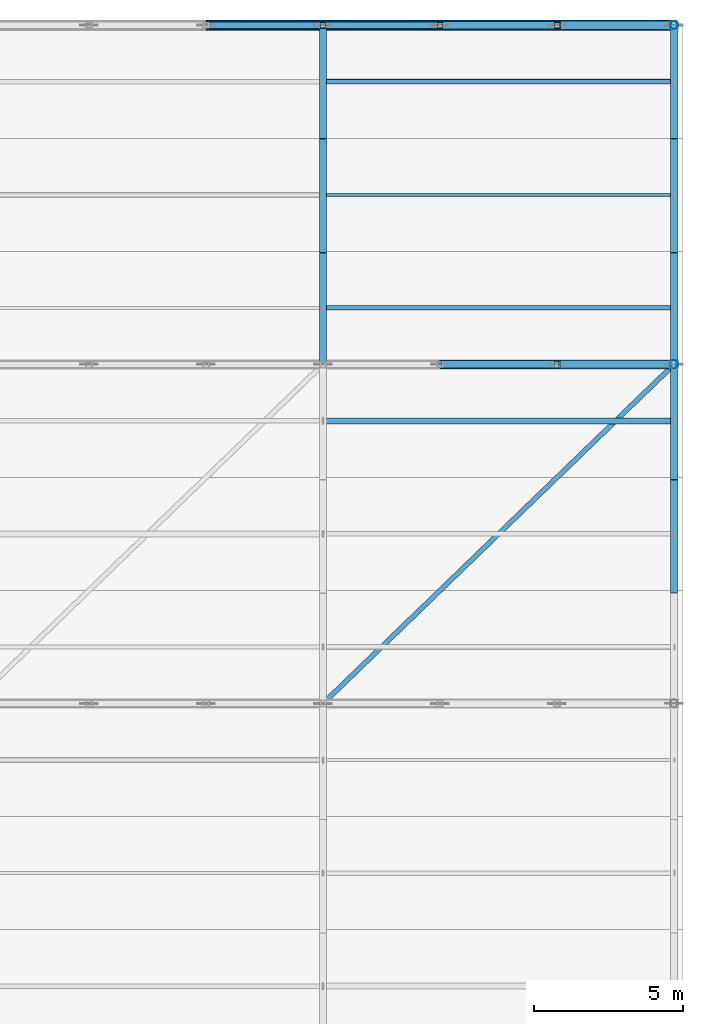
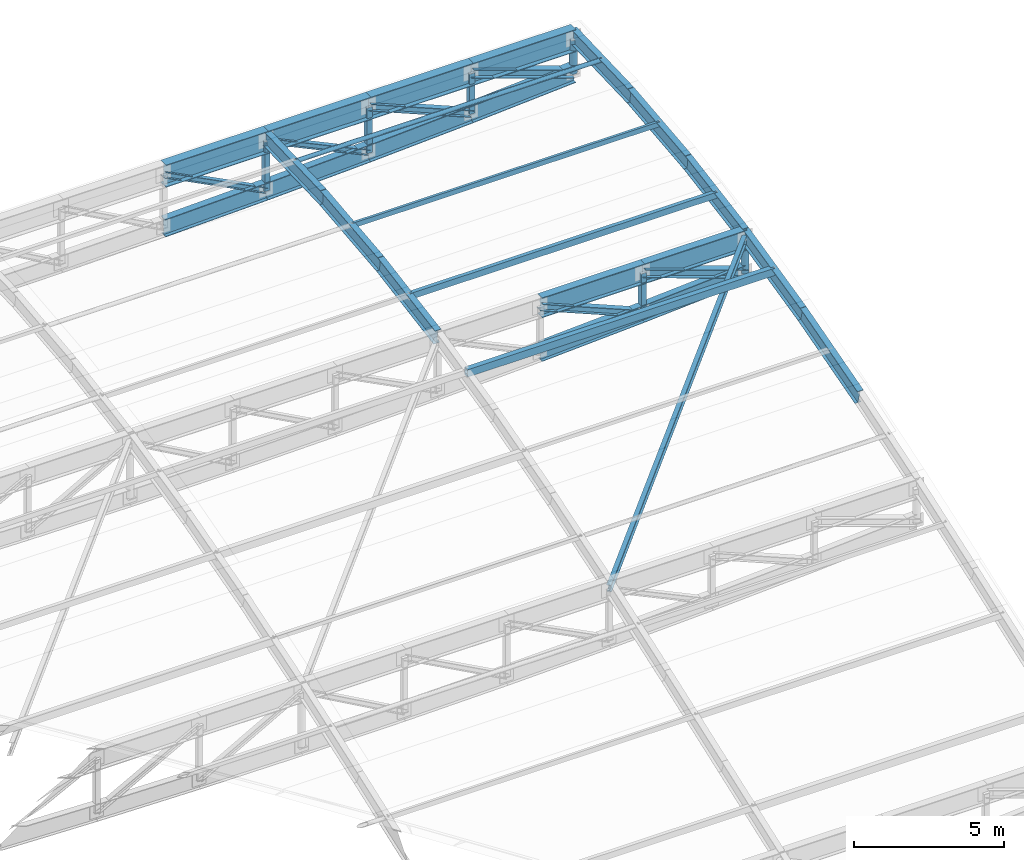
# One storey, part 29 of 65: 25 members, 12 beams.
"""IFC4 building model written with IfcOpenShell, lengths in metres."""

import ifcopenshell
import ifcopenshell.guid

model = None  # the IFC model being written
_history = None  # IfcOwnerHistory: only IFC2X3 demands one
_inside = {}  # id of a spatial element -> (the spatial element, [elements in it])
_under = {}  # id of a project, library or spatial element -> (it, [spatial elements below it])
_declared = {}  # id of a project -> (the project, [libraries it declares])
_typed = {}  # id of a type object -> (the type object, [elements of that type])
_made_of = {}  # id of a material, layer set ... -> (it, [elements and type objects made of it])


def new_model(schema):
    """Start an empty IFC model of exactly this schema.

    Asked for "IFC4X3", IfcOpenShell would pick the latest addendum, in which some entities
    have other attributes; the version numbers below select the first issue.
    IFC2X3 requires an IfcOwnerHistory on every rooted entity: one is made here for all.
    """
    global model, _history
    if schema == "IFC4X3":
        model = ifcopenshell.file(schema_version=(4, 3, 0, 0))
    else:
        model = ifcopenshell.file(schema=schema)
    _inside.clear()
    _under.clear()
    _declared.clear()
    _typed.clear()
    _made_of.clear()
    _history = None
    if model.schema == "IFC2X3":
        org = make("IfcOrganization", Name="unknown")
        user = make(
            "IfcPersonAndOrganization",
            ThePerson=make("IfcPerson", FamilyName="unknown"),
            TheOrganization=org,
        )
        app = make(
            "IfcApplication",
            ApplicationDeveloper=org,
            Version="unknown",
            ApplicationFullName="unknown",
            ApplicationIdentifier="unknown",
        )
        _history = make(
            "IfcOwnerHistory",
            OwningUser=user,
            OwningApplication=app,
            ChangeAction="ADDED",
            CreationDate=0,
        )
    return model


def make(cls, **values):
    """One entity of the class cls with the attributes given. An attribute that is None is left unset."""
    return model.create_entity(
        cls, **{name: value for name, value in values.items() if value is not None}
    )


def rooted(cls, **values):
    """An entity with a GlobalId (a new one), such as an element, a storey or a relation."""
    return make(cls, GlobalId=ifcopenshell.guid.new(), OwnerHistory=_history, **values)


def si_unit(unit_type, name, prefix=None):
    """IfcSIUnit, for example si_unit("LENGTHUNIT", "METRE", prefix="MILLI")."""
    return make("IfcSIUnit", UnitType=unit_type, Prefix=prefix, Name=name)


def assignment(units):
    """IfcUnitAssignment: the units of a project."""
    return None if units is None else make("IfcUnitAssignment", Units=units)


def point(xyz):
    """IfcCartesianPoint."""
    return None if xyz is None else make("IfcCartesianPoint", Coordinates=xyz)


def direction(xyz):
    """IfcDirection."""
    return None if xyz is None else make("IfcDirection", DirectionRatios=xyz)


def frame(location, z_axis=None, x_axis=None):
    """IfcAxis2Placement3D, a coordinate frame: its origin and axes. An axis left out is left unset."""
    return make(
        "IfcAxis2Placement3D",
        Location=point(location),
        Axis=direction(z_axis),
        RefDirection=direction(x_axis),
    )


def frame_2d(location, x_axis=None):
    """IfcAxis2Placement2D, a coordinate frame in the plane: its origin and x axis."""
    return make(
        "IfcAxis2Placement2D", Location=point(location), RefDirection=direction(x_axis)
    )


def origin():
    """The frame at (0, 0, 0) with its axes left unset."""
    return frame((0.0, 0.0, 0.0))


def origin_2d():
    """The frame at (0, 0) in the plane with its x axis left unset."""
    return frame_2d((0.0, 0.0))


def place(relative_to, where):
    """IfcLocalPlacement: puts the frame where relative to a parent placement (None: the world)."""
    return make(
        "IfcLocalPlacement", PlacementRelTo=relative_to, RelativePlacement=where
    )


def context(
    kind, dimensions, precision=None, world=None, true_north=None, identifier=None
):
    """IfcGeometricRepresentationContext, for example the 3D "Model" context."""
    return make(
        "IfcGeometricRepresentationContext",
        ContextIdentifier=identifier,
        ContextType=kind,
        CoordinateSpaceDimension=dimensions,
        Precision=precision,
        WorldCoordinateSystem=world,
        TrueNorth=true_north,
    )


def subcontext(parent, identifier, kind, view, scale=None):
    """IfcGeometricRepresentationSubContext, for example "Body" below "Model"."""
    return make(
        "IfcGeometricRepresentationSubContext",
        ContextIdentifier=identifier,
        ContextType=kind,
        ParentContext=parent,
        TargetScale=scale,
        TargetView=view,
    )


def project(units=None, contexts=None):
    """IfcProject with its units and contexts."""
    return rooted(
        "IfcProject",
        Name="project",
        RepresentationContexts=contexts,
        UnitsInContext=assignment(units),
    )


def spatial(cls, under=None, at=None, **own):
    """A site, building, storey or space (cls), placed at a placement, below another one or the project."""
    s = rooted(cls, ObjectPlacement=at, **own)
    if under is not None:
        _under.setdefault(under.id(), (under, []))[1].append(s)
    return s


def profile(cls, at=None, kind="AREA", **sizes):
    """A parametric profile (cls). Its sizes go by their IFC names, for example OverallWidth=200.0."""
    return make(cls, ProfileType=kind, Position=at, **sizes)


def hollow_rectangle(**sizes):
    """IfcRectangleHollowProfileDef."""
    return profile("IfcRectangleHollowProfileDef", **sizes)


def hollow_circle(**sizes):
    """IfcCircleHollowProfileDef."""
    return profile("IfcCircleHollowProfileDef", **sizes)


def i_section(**sizes):
    """IfcIShapeProfileDef."""
    return profile("IfcIShapeProfileDef", **sizes)


def extrude(swept, where, along, depth):
    """IfcExtrudedAreaSolid: the profile swept, set in the frame where, extruded along a direction by depth."""
    return make(
        "IfcExtrudedAreaSolid",
        SweptArea=swept,
        Position=where,
        ExtrudedDirection=direction(along),
        Depth=depth,
    )


def shape(context_of_items, identifier, shape_type, items):
    """IfcShapeRepresentation: the items that make up one representation, for example the "Body"."""
    return make(
        "IfcShapeRepresentation",
        ContextOfItems=context_of_items,
        RepresentationIdentifier=identifier,
        RepresentationType=shape_type,
        Items=items,
    )


def material(Name=None, Category=None):
    """IfcMaterial."""
    return make("IfcMaterial", Name=Name, Category=Category)


def material_profile(
    of_material, cross_section, Name=None, Category=None, Priority=None
):
    """IfcMaterialProfile: a cross section and its material."""
    return make(
        "IfcMaterialProfile",
        Name=Name,
        Material=of_material,
        Profile=cross_section,
        Priority=Priority,
        Category=Category,
    )


def profile_set(profiles, Name=None, composite=None):
    """IfcMaterialProfileSet."""
    return make(
        "IfcMaterialProfileSet",
        Name=Name,
        MaterialProfiles=profiles,
        CompositeProfile=composite,
    )


def made_of(thing, what):
    """Note that an element or type object is made of a material, layer set ...; save() writes the relation."""
    if what is not None:
        _made_of.setdefault(what.id(), (what, []))[1].append(thing)
    return thing


def type_object(cls, material=None, **own):
    """A type object (cls), such as IfcWallType, which elements share."""
    return made_of(rooted(cls, **own), material)


def element(
    cls,
    number,
    at=None,
    inside=None,
    cuts=None,
    type_object=None,
    material=None,
    context=None,
    identifier="Body",
    shape_type=None,
    held_by="IfcProductDefinitionShape",
    body=None,
    shapes=None,
    **own,
):
    """One element of the class cls, such as IfcWall. Its Tag is "e" and its number.

    at: its placement. inside: the storey or other place that contains it. cuts: it is an
    opening in that element (IfcRelVoidsElement). A single representation is given by context,
    identifier, shape_type and body (its items); several are given by shapes. held_by: the class
    of the entity that holds the representations. save() writes the other relations.
    """
    e = rooted(cls, Tag="e%d" % number, ObjectPlacement=at, **own)
    if body is not None:
        shapes = [shape(context, identifier, shape_type, body)]
    if shapes is not None:
        e.Representation = make(held_by, Representations=shapes)
    if inside is not None:
        _inside.setdefault(inside.id(), (inside, []))[1].append(e)
    if cuts is not None:
        rooted(
            "IfcRelVoidsElement", RelatingBuildingElement=cuts, RelatedOpeningElement=e
        )
    if type_object is not None:
        _typed.setdefault(type_object.id(), (type_object, []))[1].append(e)
    return made_of(e, material)


def aggregate(whole, parts):
    """IfcRelAggregates: a whole, such as a stair, and the parts it consists of."""
    return rooted("IfcRelAggregates", RelatingObject=whole, RelatedObjects=parts)


def save(model, path):
    """Write the relations noted so far, then the file.

    IfcRelAggregates (storeys below a building ...), IfcRelContainedInSpatialStructure (elements
    in a storey), IfcRelDefinesByType, IfcRelAssociatesMaterial and IfcRelDeclares: one each for
    every whole, place, type object, material and project.
    """
    for whole, parts in _under.values():
        aggregate(whole, parts)
    for where, things in _inside.values():
        rooted(
            "IfcRelContainedInSpatialStructure",
            RelatedElements=things,
            RelatingStructure=where,
        )
    for kind, things in _typed.values():
        rooted("IfcRelDefinesByType", RelatedObjects=things, RelatingType=kind)
    for what, things in _made_of.values():
        rooted("IfcRelAssociatesMaterial", RelatedObjects=things, RelatingMaterial=what)
    for by, libraries in _declared.values():
        rooted("IfcRelDeclares", RelatingContext=by, RelatedDefinitions=libraries)
    model.write(path)


model = new_model("IFC4")

# Units and contexts
model_context = context("Model", 3, precision=1e-05, world=origin(), true_north=direction((0.0, 1.0)))
body_context = subcontext(model_context, "Body", "Model", "MODEL_VIEW")
ifc_project = project(units=[si_unit("LENGTHUNIT", "METRE"), si_unit("AREAUNIT", "SQUARE_METRE"), si_unit("VOLUMEUNIT", "CUBIC_METRE"), si_unit("PLANEANGLEUNIT", "RADIAN"), si_unit("MASSUNIT", "GRAM", prefix="KILO"), si_unit("POWERUNIT", "WATT"), si_unit("THERMODYNAMICTEMPERATUREUNIT", "KELVIN")], contexts=[model_context])

# Site, building, storey
site_placement = place(None, origin())
site = spatial("IfcSite", under=ifc_project, at=site_placement, CompositionType="ELEMENT")
building_placement = place(site_placement, origin())
building = spatial("IfcBuilding", under=site, at=building_placement, Name="Kelmbourne Parkland Aquatics Centre", CompositionType="ELEMENT")
storey_placement = place(building_placement, frame((0.0, 0.0, 27.0)))
storey = spatial("IfcBuildingStorey", under=building, at=storey_placement, Name="RF", CompositionType="ELEMENT", Elevation=27.0)

# Members
ifc_material_1 = material(Name="Structural steel AS/NZS 3679.1 Grade 300", Category="steel")
ifc_material_profile_1 = material_profile(ifc_material_1, i_section(OverallWidth=0.166015625, OverallDepth=0.306884765625, WebThickness=0.006591796875, FlangeThickness=0.01171875, at=origin_2d()), Name="310UB46.2")
ifc_profile_set_1 = profile_set([ifc_material_profile_1], Name="Structural steel AS/NZS 3679.1 Grade 300")
member_type_1 = type_object("IfcMemberType", Name="MB-BR-I", PredefinedType="BRACE", material=ifc_profile_set_1)
member_1_placement = place(storey_placement, frame((163.406982421875, 92.0068359375, -3.200927734375), z_axis=(0.705999492811, 0.682073751325, 0.190630831461), x_axis=(-0.694815416631, 0.719188109476, 0.0)))
element("IfcMember", 1, at=member_1_placement, inside=storey, type_object=member_type_1, Name="Roof wind diagonal brace B9-912", PredefinedType="BRACE", context=body_context, shape_type="SweptSolid", body=[
    extrude(i_section(OverallWidth=0.166015625, OverallDepth=0.306884765625, WebThickness=0.006591796875, FlangeThickness=0.01171875, at=origin_2d()), origin(), (0.0, 0.0, 1.0), 16.69384765625),
])
ifc_material_profile_2 = material_profile(ifc_material_1, i_section(OverallWidth=0.306884765625, OverallDepth=0.31494140625, WebThickness=0.011962890625, FlangeThickness=0.018798828125, at=origin_2d()), Name="310UC118")
ifc_profile_set_2 = profile_set([ifc_material_profile_2], Name="Structural steel AS/NZS 3679.1 Grade 300")
member_type_2 = type_object("IfcMemberType", Name="MB-DIAG1", PredefinedType="STRUT", material=ifc_profile_set_2)
for number, where, z_axis, x_axis, name in (
    (2, (171.2666015625, 103.39990234375, -0.0166015625), (0.943617957768, 0.0, -0.331036478015), (0.0, 1.0, 0.0), "Roof truss R09 web diagonal 12"),
    (3, (171.2666015625, 114.800048828125, 1.179931640625), (0.943617957768, 0.0, -0.331036478015), (0.0, 1.0, 0.0), "Roof truss R10 web diagonal 12"),
):
    element("IfcMember", number, at=place(storey_placement, frame(where, z_axis=z_axis, x_axis=x_axis)), inside=storey, type_object=member_type_2, Name=name, PredefinedType="STRUT", context=body_context, shape_type="SweptSolid", body=[
        extrude(i_section(OverallWidth=0.306884765625, OverallDepth=0.31494140625, WebThickness=0.011962890625, FlangeThickness=0.018798828125, at=origin_2d()), origin(), (0.0, 0.0, 1.0), 4.16845703125),
    ])
ifc_material_profile_3 = material_profile(ifc_material_1, i_section(OverallWidth=0.256103515625, OverallDepth=0.260009765625, WebThickness=0.010498046875, FlangeThickness=0.017333984375, at=origin_2d()), Name="250UC89.5")
ifc_profile_set_3 = profile_set([ifc_material_profile_3], Name="Structural steel AS/NZS 3679.1 Grade 300")
member_type_3 = type_object("IfcMemberType", Name="MB-DIAG2", PredefinedType="STRUT", material=ifc_profile_set_3)
for number, where, z_axis, x_axis, name in (
    (4, (167.333251953125, 103.39990234375, -0.0166015625), (0.923014195881, 0.0, -0.384765895322), (0.0, 1.0, 0.0), "Roof truss R09 web diagonal 11"),
    (5, (167.333251953125, 114.800048828125, 1.179931640625), (0.923014195881, 0.0, -0.384765895322), (0.0, 1.0, 0.0), "Roof truss R10 web diagonal 11"),
):
    element("IfcMember", number, at=place(storey_placement, frame(where, z_axis=z_axis, x_axis=x_axis)), inside=storey, type_object=member_type_3, Name=name, PredefinedType="STRUT", context=body_context, shape_type="SweptSolid", body=[
        extrude(i_section(OverallWidth=0.256103515625, OverallDepth=0.260009765625, WebThickness=0.010498046875, FlangeThickness=0.017333984375, at=origin_2d()), origin(), (0.0, 0.0, 1.0), 4.261474609375),
    ])
ifc_material_profile_4 = material_profile(ifc_material_1, i_section(OverallWidth=0.205078125, OverallDepth=0.2099609375, WebThickness=0.00927734375, FlangeThickness=0.01416015625, at=origin_2d()), Name="200UC59.5")
ifc_profile_set_4 = profile_set([ifc_material_profile_4], Name="Structural steel AS/NZS 3679.1 Grade 300")
member_type_4 = type_object("IfcMemberType", Name="MB-DIAG3", PredefinedType="STRUT", material=ifc_profile_set_4)
member_2_placement = place(storey_placement, frame((159.466796875, 114.800048828125, 1.179931640625), z_axis=(0.889784683693, 0.0, -0.456380561226), x_axis=(0.0, 1.0, 0.0)))
element("IfcMember", 6, at=member_2_placement, inside=storey, type_object=member_type_4, Name="Roof truss R10 web diagonal 9", PredefinedType="STRUT", context=body_context, shape_type="SweptSolid", body=[
    extrude(i_section(OverallWidth=0.205078125, OverallDepth=0.2099609375, WebThickness=0.00927734375, FlangeThickness=0.01416015625, at=origin_2d()), origin(), (0.0, 0.0, 1.0), 4.42041015625),
])
member_3_placement = place(storey_placement, frame((163.39990234375, 114.800048828125, 1.179931640625), z_axis=(0.904724503936, 0.0, -0.425997150199), x_axis=(0.0, 1.0, 0.0)))
element("IfcMember", 7, at=member_3_placement, inside=storey, type_object=member_type_4, Name="Roof truss R10 web diagonal 10", PredefinedType="STRUT", context=body_context, shape_type="SweptSolid", body=[
    extrude(i_section(OverallWidth=0.205078125, OverallDepth=0.2099609375, WebThickness=0.00927734375, FlangeThickness=0.01416015625, at=origin_2d()), origin(), (0.0, 0.0, 1.0), 4.34765625),
])
ifc_material_profile_5 = material_profile(ifc_material_1, i_section(OverallWidth=0.22900390625, OverallDepth=0.612060546875, WebThickness=0.011962890625, FlangeThickness=0.01953125, at=origin_2d()), Name="610UB125")
ifc_profile_set_5 = profile_set([ifc_material_profile_5], Name="Structural steel AS/NZS 3679.1 Grade 300")
member_type_5 = type_object("IfcMemberType", Name="MB-LRIB", PredefinedType="STRUT", material=ifc_profile_set_5)
member_4_placement = place(storey_placement, frame((163.39990234375, 103.39990234375, 0.103515625), z_axis=(0.0, 0.985424271637, 0.170114681522), x_axis=(-1.0, 0.0, 0.0)))
element("IfcMember", 8, at=member_4_placement, inside=storey, type_object=member_type_5, Name="Longitudinal wave rib K9 strip 28", PredefinedType="STRUT", context=body_context, shape_type="SweptSolid", body=[
    extrude(i_section(OverallWidth=0.22900390625, OverallDepth=0.612060546875, WebThickness=0.011962890625, FlangeThickness=0.01953125, at=origin_2d()), origin(), (0.0, 0.0, 1.0), 3.856201171875),
])
member_5_placement = place(storey_placement, frame((163.39990234375, 107.199951171875, 0.759521484375), z_axis=(0.0, 0.994394631205, 0.105732291336), x_axis=(-1.0, 0.0, 0.0)))
element("IfcMember", 9, at=member_5_placement, inside=storey, type_object=member_type_5, Name="Longitudinal wave rib K9 strip 29", PredefinedType="STRUT", context=body_context, shape_type="SweptSolid", body=[
    extrude(i_section(OverallWidth=0.22900390625, OverallDepth=0.612060546875, WebThickness=0.011962890625, FlangeThickness=0.01953125, at=origin_2d()), origin(), (0.0, 0.0, 1.0), 3.821533203125),
])
member_6_placement = place(storey_placement, frame((163.39990234375, 111.0, 1.16357421875), z_axis=(0.0, 0.999355718738, 0.035890770753), x_axis=(-1.0, 0.0, 0.0)))
element("IfcMember", 10, at=member_6_placement, inside=storey, type_object=member_type_5, Name="Longitudinal wave rib K9 strip 30", PredefinedType="STRUT", context=body_context, shape_type="SweptSolid", body=[
    extrude(i_section(OverallWidth=0.22900390625, OverallDepth=0.612060546875, WebThickness=0.011962890625, FlangeThickness=0.01953125, at=origin_2d()), origin(), (0.0, 0.0, 1.0), 3.802490234375),
])
member_7_placement = place(storey_placement, frame((175.199951171875, 95.800048828125, -1.85546875), z_axis=(0.0, 0.962176700745, 0.272426130433), x_axis=(-1.0, 0.0, 0.0)))
element("IfcMember", 11, at=member_7_placement, inside=storey, type_object=member_type_5, Name="Longitudinal wave rib K12 strip 26", PredefinedType="STRUT", context=body_context, shape_type="SweptSolid", body=[
    extrude(i_section(OverallWidth=0.22900390625, OverallDepth=0.612060546875, WebThickness=0.011962890625, FlangeThickness=0.01953125, at=origin_2d()), origin(), (0.0, 0.0, 1.0), 3.949462890625),
])
member_8_placement = place(storey_placement, frame((175.199951171875, 99.60009765625, -0.779541015625), z_axis=(0.0, 0.974043015696, 0.226362990733), x_axis=(-1.0, 0.0, 0.0)))
element("IfcMember", 12, at=member_8_placement, inside=storey, type_object=member_type_5, Name="Longitudinal wave rib K12 strip 27", PredefinedType="STRUT", context=body_context, shape_type="SweptSolid", body=[
    extrude(i_section(OverallWidth=0.22900390625, OverallDepth=0.612060546875, WebThickness=0.011962890625, FlangeThickness=0.01953125, at=origin_2d()), origin(), (0.0, 0.0, 1.0), 3.901123046875),
])
member_9_placement = place(storey_placement, frame((175.199951171875, 103.39990234375, 0.103515625), z_axis=(0.0, 0.985424271637, 0.170114681522), x_axis=(-1.0, 0.0, 0.0)))
element("IfcMember", 13, at=member_9_placement, inside=storey, type_object=member_type_5, Name="Longitudinal wave rib K12 strip 28", PredefinedType="STRUT", context=body_context, shape_type="SweptSolid", body=[
    extrude(i_section(OverallWidth=0.22900390625, OverallDepth=0.612060546875, WebThickness=0.011962890625, FlangeThickness=0.01953125, at=origin_2d()), origin(), (0.0, 0.0, 1.0), 3.856201171875),
])
member_10_placement = place(storey_placement, frame((175.199951171875, 107.199951171875, 0.759521484375), z_axis=(0.0, 0.994394631205, 0.105732291336), x_axis=(-1.0, 0.0, 0.0)))
element("IfcMember", 14, at=member_10_placement, inside=storey, type_object=member_type_5, Name="Longitudinal wave rib K12 strip 29", PredefinedType="STRUT", context=body_context, shape_type="SweptSolid", body=[
    extrude(i_section(OverallWidth=0.22900390625, OverallDepth=0.612060546875, WebThickness=0.011962890625, FlangeThickness=0.01953125, at=origin_2d()), origin(), (0.0, 0.0, 1.0), 3.821533203125),
])
member_11_placement = place(storey_placement, frame((175.199951171875, 111.0, 1.16357421875), z_axis=(0.0, 0.999355718738, 0.035890770753), x_axis=(-1.0, 0.0, 0.0)))
element("IfcMember", 15, at=member_11_placement, inside=storey, type_object=member_type_5, Name="Longitudinal wave rib K12 strip 30", PredefinedType="STRUT", context=body_context, shape_type="SweptSolid", body=[
    extrude(i_section(OverallWidth=0.22900390625, OverallDepth=0.612060546875, WebThickness=0.011962890625, FlangeThickness=0.01953125, at=origin_2d()), origin(), (0.0, 0.0, 1.0), 3.802490234375),
])
ifc_material_2 = material(Name="Cold-formed hollow steel AS/NZS 1163 C350L0", Category="steel")
ifc_material_profile_6 = material_profile(ifc_material_2, hollow_rectangle(XDim=0.199951171875, YDim=0.199951171875, WallThickness=0.010009765625, at=origin_2d()), Name="SHS 200x200x10.0")
ifc_profile_set_6 = profile_set([ifc_material_profile_6], Name="Cold-formed hollow steel AS/NZS 1163 C350L0")
member_type_6 = type_object("IfcMemberType", Name="MB-POST1", PredefinedType="STRUT", material=ifc_profile_set_6)
member_12_placement = place(storey_placement, frame((171.2666015625, 103.39990234375, -1.65625), z_axis=(0.0, 0.0, 1.0), x_axis=(1.0, 0.0, 0.0)))
element("IfcMember", 16, at=member_12_placement, inside=storey, type_object=member_type_6, Name="Roof truss R09 vertical post 11", PredefinedType="STRUT", context=body_context, shape_type="SweptSolid", body=[
    extrude(hollow_rectangle(XDim=0.199951171875, YDim=0.199951171875, WallThickness=0.010009765625, at=origin_2d()), origin(), (0.0, 0.0, 1.0), 1.6396484375),
])
member_13_placement = place(storey_placement, frame((163.39990234375, 114.800048828125, -0.83740234375), z_axis=(0.0, 0.0, 1.0), x_axis=(1.0, 0.0, 0.0)))
element("IfcMember", 17, at=member_13_placement, inside=storey, type_object=member_type_6, Name="Roof truss R10 vertical post 9", PredefinedType="STRUT", context=body_context, shape_type="SweptSolid", body=[
    extrude(hollow_rectangle(XDim=0.199951171875, YDim=0.199951171875, WallThickness=0.010009765625, at=origin_2d()), origin(), (0.0, 0.0, 1.0), 2.017333984375),
])
member_14_placement = place(storey_placement, frame((167.333251953125, 114.800048828125, -0.672119140625), z_axis=(0.0, 0.0, 1.0), x_axis=(1.0, 0.0, 0.0)))
element("IfcMember", 18, at=member_14_placement, inside=storey, type_object=member_type_6, Name="Roof truss R10 vertical post 10", PredefinedType="STRUT", context=body_context, shape_type="SweptSolid", body=[
    extrude(hollow_rectangle(XDim=0.199951171875, YDim=0.199951171875, WallThickness=0.010009765625, at=origin_2d()), origin(), (0.0, 0.0, 1.0), 1.85205078125),
])
member_15_placement = place(storey_placement, frame((171.2666015625, 114.800048828125, -0.459716796875), z_axis=(0.0, 0.0, 1.0), x_axis=(1.0, 0.0, 0.0)))
element("IfcMember", 19, at=member_15_placement, inside=storey, type_object=member_type_6, Name="Roof truss R10 vertical post 11", PredefinedType="STRUT", context=body_context, shape_type="SweptSolid", body=[
    extrude(hollow_rectangle(XDim=0.199951171875, YDim=0.199951171875, WallThickness=0.010009765625, at=origin_2d()), origin(), (0.0, 0.0, 1.0), 1.6396484375),
])
ifc_material_profile_7 = material_profile(ifc_material_2, hollow_circle(Radius=0.136474609375, WallThickness=0.00927734375, at=origin_2d()), Name="CHS 273.1x9.3")
ifc_profile_set_7 = profile_set([ifc_material_profile_7], Name="Cold-formed hollow steel AS/NZS 1163 C350L0")
member_type_7 = type_object("IfcMemberType", Name="MB-POST2", PredefinedType="STRUT", material=ifc_profile_set_7)
for number, where, z_axis, x_axis, name in (
    (20, (175.199951171875, 103.39990234375, -1.396484375), (0.0, 0.0, 1.0), (1.0, 0.0, 0.0), "Roof truss R09 vertical post 12"),
    (21, (175.199951171875, 114.800048828125, -0.199951171875), (0.0, 0.0, 1.0), (1.0, 0.0, 0.0), "Roof truss R10 vertical post 12"),
):
    element("IfcMember", number, at=place(storey_placement, frame(where, z_axis=z_axis, x_axis=x_axis)), inside=storey, type_object=member_type_7, Name=name, PredefinedType="STRUT", context=body_context, shape_type="SweptSolid", body=[
        extrude(hollow_circle(Radius=0.136474609375, WallThickness=0.00927734375, at=origin_2d()), origin(), (0.0, 0.0, 1.0), 1.3798828125),
    ])
ifc_material_profile_8 = material_profile(ifc_material_2, hollow_rectangle(XDim=0.10009765625, YDim=0.199951171875, WallThickness=0.006103515625, at=origin_2d()), Name="RHS 200x100x6.0")
ifc_profile_set_8 = profile_set([ifc_material_profile_8], Name="Cold-formed hollow steel AS/NZS 1163 C350L0")
member_type_8 = type_object("IfcMemberType", Name="MB-PUR1", PredefinedType="PURLIN", material=ifc_profile_set_8)
member_16_placement = place(storey_placement, frame((163.39990234375, 109.10009765625, 1.17138671875), z_axis=(1.0, 0.0, 0.0), x_axis=(0.0, 1.0, 0.0)))
element("IfcMember", 22, at=member_16_placement, inside=storey, type_object=member_type_8, Name="Wave roof purlin S29-G4", PredefinedType="PURLIN", context=body_context, shape_type="SweptSolid", body=[
    extrude(hollow_rectangle(XDim=0.10009765625, YDim=0.199951171875, WallThickness=0.006103515625, at=origin_2d()), origin(), (0.0, 0.0, 1.0), 11.800048828125),
])
ifc_material_profile_9 = material_profile(ifc_material_2, hollow_rectangle(XDim=0.14990234375, YDim=0.25, WallThickness=0.009033203125, at=origin_2d()), Name="RHS 250x150x9.0")
ifc_profile_set_9 = profile_set([ifc_material_profile_9], Name="Cold-formed hollow steel AS/NZS 1163 C350L0")
member_type_9 = type_object("IfcMemberType", Name="MB-PUR2", PredefinedType="PURLIN", material=ifc_profile_set_9)
member_17_placement = place(storey_placement, frame((163.39990234375, 105.300048828125, 0.616455078125), z_axis=(1.0, 0.0, 0.0), x_axis=(0.0, 1.0, 0.0)))
element("IfcMember", 23, at=member_17_placement, inside=storey, type_object=member_type_9, Name="Wave roof purlin S28-G4", PredefinedType="PURLIN", context=body_context, shape_type="SweptSolid", body=[
    extrude(hollow_rectangle(XDim=0.14990234375, YDim=0.25, WallThickness=0.009033203125, at=origin_2d()), origin(), (0.0, 0.0, 1.0), 11.800048828125),
])
ifc_material_profile_10 = material_profile(ifc_material_2, hollow_rectangle(XDim=0.199951171875, YDim=0.300048828125, WallThickness=0.010009765625, at=origin_2d()), Name="RHS 300x200x10.0")
ifc_profile_set_10 = profile_set([ifc_material_profile_10], Name="Cold-formed hollow steel AS/NZS 1163 C350L0")
member_type_10 = type_object("IfcMemberType", Name="MB-PUR3", PredefinedType="PURLIN", material=ifc_profile_set_10)
member_18_placement = place(storey_placement, frame((163.39990234375, 101.5, -0.177978515625), z_axis=(1.0, 0.0, 0.0), x_axis=(0.0, 1.0, 0.0)))
element("IfcMember", 24, at=member_18_placement, inside=storey, type_object=member_type_10, Name="Wave roof purlin S27-G4", PredefinedType="PURLIN", context=body_context, shape_type="SweptSolid", body=[
    extrude(hollow_rectangle(XDim=0.199951171875, YDim=0.300048828125, WallThickness=0.010009765625, at=origin_2d()), origin(), (0.0, 0.0, 1.0), 11.800048828125),
])
ifc_material_profile_11 = material_profile(ifc_material_2, hollow_circle(Radius=0.084228515625, WallThickness=0.007080078125, at=origin_2d()), Name="CHS 168.3x7.1")
ifc_profile_set_11 = profile_set([ifc_material_profile_11], Name="Cold-formed hollow steel AS/NZS 1163 C350L0")
member_type_11 = type_object("IfcMemberType", Name="MB-PUR5", PredefinedType="PURLIN", material=ifc_profile_set_11)
member_19_placement = place(storey_placement, frame((163.39990234375, 112.89990234375, 1.45751953125), z_axis=(1.0, 0.0, 0.0), x_axis=(0.0, 1.0, 0.0)))
element("IfcMember", 25, at=member_19_placement, inside=storey, type_object=member_type_11, Name="Wave roof purlin S30-G4", PredefinedType="PURLIN", context=body_context, shape_type="SweptSolid", body=[
    extrude(hollow_circle(Radius=0.084228515625, WallThickness=0.007080078125, at=origin_2d()), origin(), (0.0, 0.0, 1.0), 11.800048828125),
])

# Beams
ifc_material_3 = material(Name="Welded plate steel AS/NZS 3678 Grade 350", Category="steel")
ifc_material_profile_12 = material_profile(ifc_material_3, i_section(OverallWidth=0.27490234375, OverallDepth=0.716064453125, WebThickness=0.011962890625, FlangeThickness=0.02490234375, at=origin_2d()), Name="700WB173")
ifc_profile_set_12 = profile_set([ifc_material_profile_12], Name="Welded plate steel AS/NZS 3678 Grade 350")
beam_type_1 = type_object("IfcBeamType", Name="TR-BC1", PredefinedType="BEAM", material=ifc_profile_set_12)
beam_1_placement = place(storey_placement, frame((159.466796875, 114.800048828125, -0.95556640625), z_axis=(0.999549000802, 0.0, 0.0300299017), x_axis=(0.0, 1.0, 0.0)))
element("IfcBeam", 26, at=beam_1_placement, inside=storey, type_object=beam_type_1, Name="Roof truss R10 bottom chord 9", PredefinedType="BEAM", context=body_context, shape_type="SweptSolid", body=[
    extrude(i_section(OverallWidth=0.27490234375, OverallDepth=0.716064453125, WebThickness=0.011962890625, FlangeThickness=0.02490234375, at=origin_2d()), origin(), (0.0, 0.0, 1.0), 3.934814453125),
])
beam_2_placement = place(storey_placement, frame((163.39990234375, 114.800048828125, -0.83740234375), z_axis=(0.999118286144, 0.0, 0.041983928975), x_axis=(0.0, 1.0, 0.0)))
element("IfcBeam", 27, at=beam_2_placement, inside=storey, type_object=beam_type_1, Name="Roof truss R10 bottom chord 10", PredefinedType="BEAM", context=body_context, shape_type="SweptSolid", body=[
    extrude(i_section(OverallWidth=0.27490234375, OverallDepth=0.716064453125, WebThickness=0.011962890625, FlangeThickness=0.02490234375, at=origin_2d()), origin(), (0.0, 0.0, 1.0), 3.936767578125),
])
beam_3_placement = place(storey_placement, frame((167.333251953125, 114.800048828125, -0.672119140625), z_axis=(0.998545160894, 0.0, 0.053921810563), x_axis=(0.0, 1.0, 0.0)))
element("IfcBeam", 28, at=beam_3_placement, inside=storey, type_object=beam_type_1, Name="Roof truss R10 bottom chord 11", PredefinedType="BEAM", context=body_context, shape_type="SweptSolid", body=[
    extrude(i_section(OverallWidth=0.27490234375, OverallDepth=0.716064453125, WebThickness=0.011962890625, FlangeThickness=0.02490234375, at=origin_2d()), origin(), (0.0, 0.0, 1.0), 3.93896484375),
])
beam_4_placement = place(storey_placement, frame((171.2666015625, 114.800048828125, -0.459716796875), z_axis=(0.997826345785, 0.0, 0.065898282659), x_axis=(0.0, 1.0, 0.0)))
element("IfcBeam", 29, at=beam_4_placement, inside=storey, type_object=beam_type_1, Name="Roof truss R10 bottom chord 12", PredefinedType="BEAM", context=body_context, shape_type="SweptSolid", body=[
    extrude(i_section(OverallWidth=0.27490234375, OverallDepth=0.716064453125, WebThickness=0.011962890625, FlangeThickness=0.02490234375, at=origin_2d()), origin(), (0.0, 0.0, 1.0), 3.94189453125),
])
ifc_material_profile_13 = material_profile(ifc_material_3, i_section(OverallWidth=0.25, OverallDepth=0.699951171875, WebThickness=0.010009765625, FlangeThickness=0.02001953125, at=origin_2d()), Name="700WB130")
ifc_profile_set_13 = profile_set([ifc_material_profile_13], Name="Welded plate steel AS/NZS 3678 Grade 350")
beam_type_2 = type_object("IfcBeamType", Name="TR-BC2", PredefinedType="BEAM", material=ifc_profile_set_13)
beam_5_placement = place(storey_placement, frame((167.333251953125, 103.39990234375, -1.868896484375), z_axis=(0.99854182183, 0.0, 0.053983609138), x_axis=(0.0, 1.0, 0.0)))
element("IfcBeam", 30, at=beam_5_placement, inside=storey, type_object=beam_type_2, Name="Roof truss R09 bottom chord 11", PredefinedType="BEAM", context=body_context, shape_type="SweptSolid", body=[
    extrude(i_section(OverallWidth=0.25, OverallDepth=0.699951171875, WebThickness=0.010009765625, FlangeThickness=0.02001953125, at=origin_2d()), origin(), (0.0, 0.0, 1.0), 3.939208984375),
])
beam_6_placement = place(storey_placement, frame((171.2666015625, 103.39990234375, -1.65625), z_axis=(0.997826345785, 0.0, 0.065898282659), x_axis=(0.0, 1.0, 0.0)))
element("IfcBeam", 31, at=beam_6_placement, inside=storey, type_object=beam_type_2, Name="Roof truss R09 bottom chord 12", PredefinedType="BEAM", context=body_context, shape_type="SweptSolid", body=[
    extrude(i_section(OverallWidth=0.25, OverallDepth=0.699951171875, WebThickness=0.010009765625, FlangeThickness=0.02001953125, at=origin_2d()), origin(), (0.0, 0.0, 1.0), 3.94189453125),
])
ifc_material_profile_14 = material_profile(ifc_material_3, i_section(OverallWidth=0.35009765625, OverallDepth=0.909912109375, WebThickness=0.011962890625, FlangeThickness=0.02490234375, at=origin_2d()), Name="900WB218")
ifc_profile_set_14 = profile_set([ifc_material_profile_14], Name="Welded plate steel AS/NZS 3678 Grade 350")
beam_type_3 = type_object("IfcBeamType", Name="TR-TC1", PredefinedType="BEAM", material=ifc_profile_set_14)
beam_7_placement = place(storey_placement, frame((159.466796875, 114.800048828125, 1.179931640625), z_axis=(1.0, 0.0, 0.0), x_axis=(0.0, 1.0, 0.0)))
element("IfcBeam", 32, at=beam_7_placement, inside=storey, type_object=beam_type_3, Name="Roof truss R10 top chord 9", PredefinedType="BEAM", context=body_context, shape_type="SweptSolid", body=[
    extrude(i_section(OverallWidth=0.35009765625, OverallDepth=0.909912109375, WebThickness=0.011962890625, FlangeThickness=0.02490234375, at=origin_2d()), origin(), (0.0, 0.0, 1.0), 3.93310546875),
])
for number, where, z_axis, x_axis, name in (
    (33, (163.39990234375, 114.800048828125, 1.179931640625), (1.0, 0.0, 0.0), (0.0, 1.0, 0.0), "Roof truss R10 top chord 10"),
    (34, (167.333251953125, 114.800048828125, 1.179931640625), (1.0, 0.0, 0.0), (0.0, 1.0, 0.0), "Roof truss R10 top chord 11"),
    (35, (171.2666015625, 114.800048828125, 1.179931640625), (1.0, 0.0, 0.0), (0.0, 1.0, 0.0), "Roof truss R10 top chord 12"),
):
    element("IfcBeam", number, at=place(storey_placement, frame(where, z_axis=z_axis, x_axis=x_axis)), inside=storey, type_object=beam_type_3, Name=name, PredefinedType="BEAM", context=body_context, shape_type="SweptSolid", body=[
        extrude(i_section(OverallWidth=0.35009765625, OverallDepth=0.909912109375, WebThickness=0.011962890625, FlangeThickness=0.02490234375, at=origin_2d()), origin(), (0.0, 0.0, 1.0), 3.933349609375),
    ])
ifc_material_profile_15 = material_profile(ifc_material_3, i_section(OverallWidth=0.300048828125, OverallDepth=0.81591796875, WebThickness=0.011962890625, FlangeThickness=0.028076171875, at=origin_2d()), Name="800WB192")
ifc_profile_set_15 = profile_set([ifc_material_profile_15], Name="Welded plate steel AS/NZS 3678 Grade 350")
beam_type_4 = type_object("IfcBeamType", Name="TR-TC2", PredefinedType="BEAM", material=ifc_profile_set_15)
for number, where, z_axis, x_axis, name in (
    (36, (167.333251953125, 103.39990234375, -0.0166015625), (1.0, 0.0, 0.0), (0.0, 1.0, 0.0), "Roof truss R09 top chord 11"),
    (37, (171.2666015625, 103.39990234375, -0.0166015625), (1.0, 0.0, 0.0), (0.0, 1.0, 0.0), "Roof truss R09 top chord 12"),
):
    element("IfcBeam", number, at=place(storey_placement, frame(where, z_axis=z_axis, x_axis=x_axis)), inside=storey, type_object=beam_type_4, Name=name, PredefinedType="BEAM", context=body_context, shape_type="SweptSolid", body=[
        extrude(i_section(OverallWidth=0.300048828125, OverallDepth=0.81591796875, WebThickness=0.011962890625, FlangeThickness=0.028076171875, at=origin_2d()), origin(), (0.0, 0.0, 1.0), 3.933349609375),
    ])

save(model, "model.ifc")
